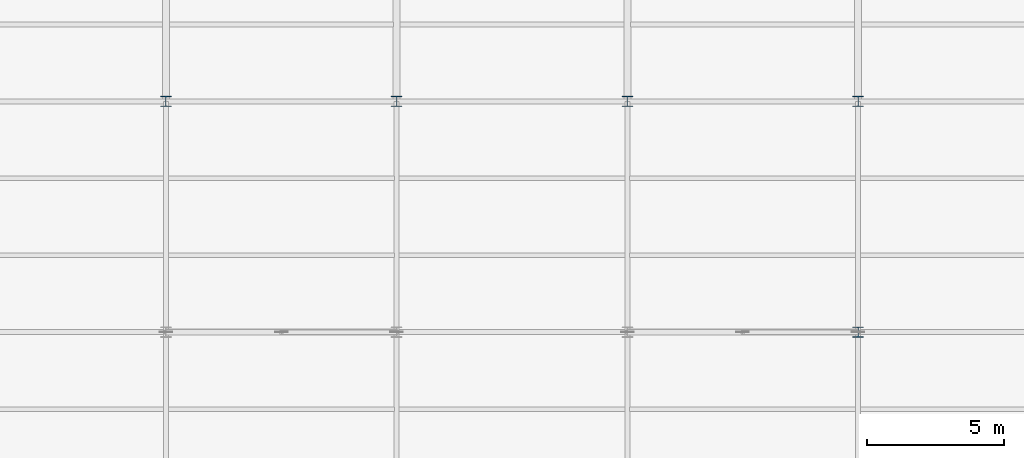
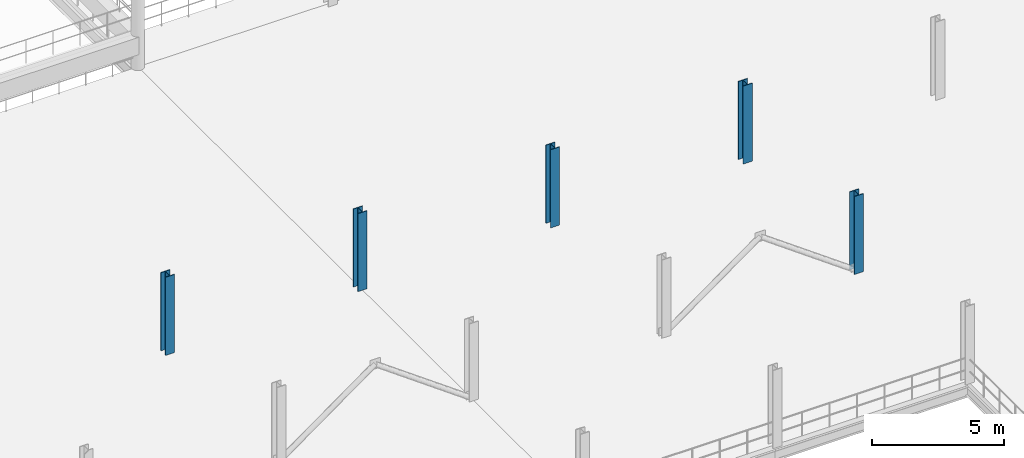
# One storey, part 10 of 79: 5 columns.
"""IFC4 building model written with IfcOpenShell, lengths in metres."""

from ifc_helpers import new_model, si_unit, direction, frame, origin, origin_2d, place, context, subcontext, project, spatial, i_section, extrude, material, material_profile, profile_set, type_object, element, save


model = new_model("IFC4")

# Units and contexts
model_context = context("Model", 3, precision=1e-05, world=origin(), true_north=direction((0.0, 1.0)))
body_context = subcontext(model_context, "Body", "Model", "MODEL_VIEW")
ifc_project = project(units=[si_unit("LENGTHUNIT", "METRE"), si_unit("AREAUNIT", "SQUARE_METRE"), si_unit("VOLUMEUNIT", "CUBIC_METRE"), si_unit("PLANEANGLEUNIT", "RADIAN"), si_unit("MASSUNIT", "GRAM", prefix="KILO"), si_unit("THERMODYNAMICTEMPERATUREUNIT", "KELVIN"), si_unit("POWERUNIT", "WATT")], contexts=[model_context])

# Site, building, storey
site_placement = place(None, origin())
site = spatial("IfcSite", under=ifc_project, at=site_placement, CompositionType="ELEMENT")
building_placement = place(site_placement, origin())
building = spatial("IfcBuilding", under=site, at=building_placement, Name="Tembeka Court Mobility Hub", CompositionType="ELEMENT")
storey_placement = place(building_placement, frame((0.0, 0.0, 9.0)))
storey = spatial("IfcBuildingStorey", under=building, at=storey_placement, Name="L02", CompositionType="ELEMENT", Elevation=9.0)

# Columns
ifc_material = material(Name="Steel S355", Category="steel")
ifc_material_profile = material_profile(ifc_material, i_section(OverallWidth=0.39501953125, OverallDepth=0.381103515625, WebThickness=0.018310546875, FlangeThickness=0.0302734375, FilletRadius=0.01513671875, at=origin_2d()), Name="UKC 356x406x235")
ifc_profile_set = profile_set([ifc_material_profile], Name="Steel S355")
column_type = type_object("IfcColumnType", Name="COL-C02", PredefinedType="COLUMN", material=ifc_profile_set)
for number, where, z_axis, x_axis, name in (
    (1, (33.60009765625, 80.39990234375, 0.0), (0.0, 0.0, 1.0), (1.0, 0.0, 0.0), "Column C02 (L02-055)"),
    (2, (42.0, 80.39990234375, 0.0), (0.0, 0.0, 1.0), (1.0, 0.0, 0.0), "Column C02 (L02-067)"),
    (3, (50.39990234375, 80.39990234375, 0.0), (0.0, 0.0, 1.0), (1.0, 0.0, 0.0), "Column C02 (L02-079)"),
    (4, (58.800048828125, 72.0, 0.0), (0.0, 0.0, 1.0), (1.0, 0.0, 0.0), "Column C02 (L02-089)"),
    (5, (58.800048828125, 80.39990234375, 0.0), (0.0, 0.0, 1.0), (1.0, 0.0, 0.0), "Column C02 (L02-090)"),
):
    element("IfcColumn", number, at=place(storey_placement, frame(where, z_axis=z_axis, x_axis=x_axis)), inside=storey, type_object=column_type, Name=name, PredefinedType="COLUMN", context=body_context, shape_type="SweptSolid", body=[
        extrude(i_section(OverallWidth=0.39501953125, OverallDepth=0.381103515625, WebThickness=0.018310546875, FlangeThickness=0.0302734375, FilletRadius=0.01513671875, at=origin_2d()), origin(), (0.0, 0.0, 1.0), 3.60009765625),
    ])

save(model, "model.ifc")
